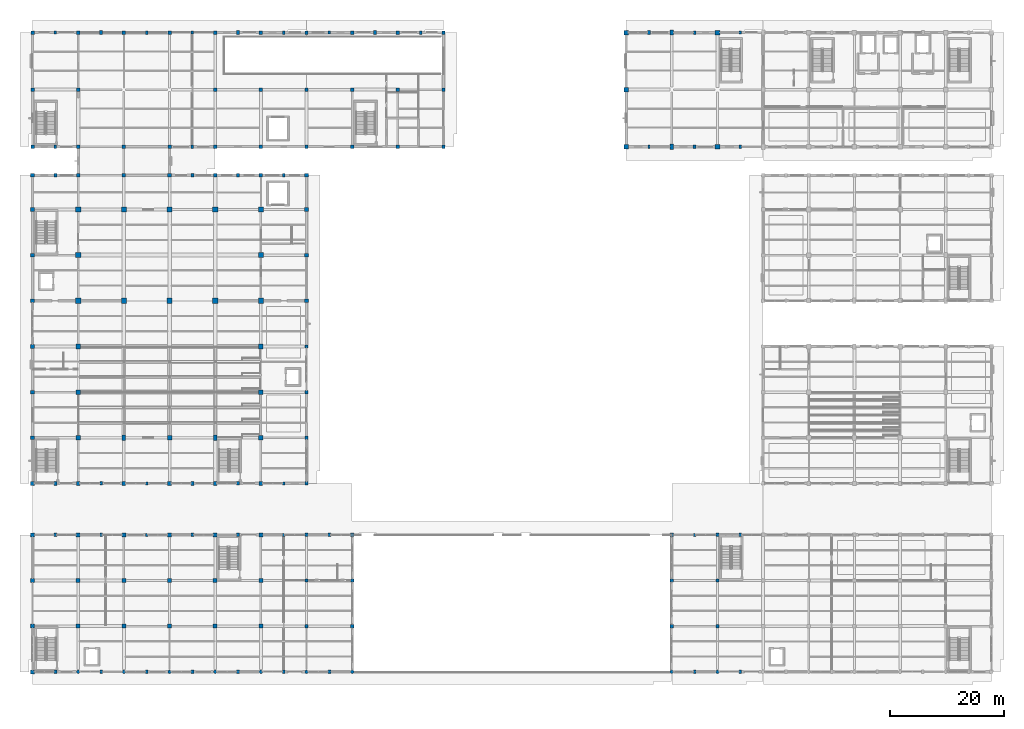
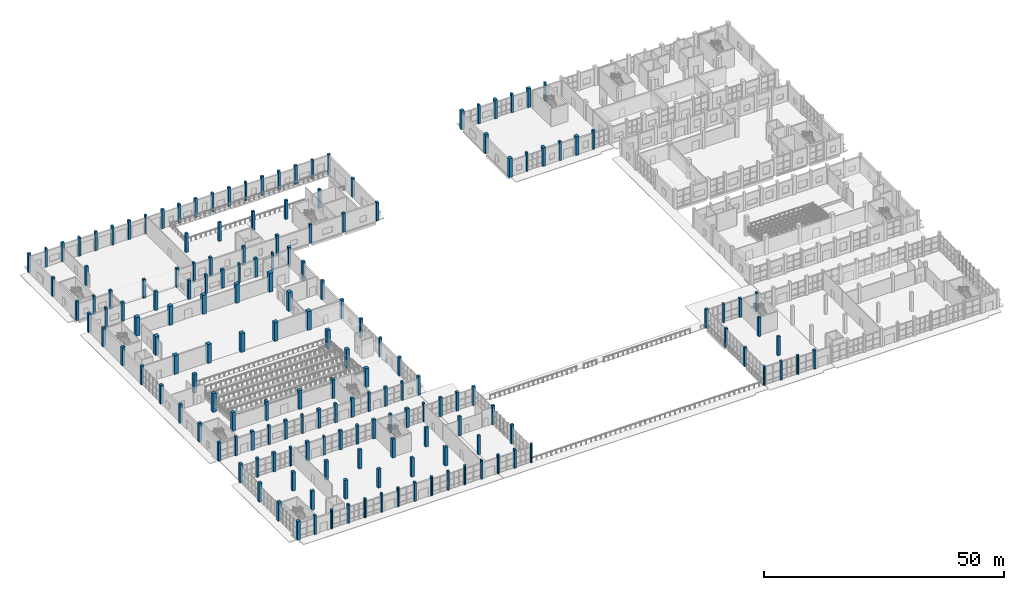
# One storey, part 1 of 156: 167 columns.
"""IFC4 building model written with IfcOpenShell, lengths in metres."""

from ifc_helpers import new_model, si_unit, direction, frame, origin, origin_2d, place, context, subcontext, project, spatial, rectangle, circle, extrude, material, material_profile, profile_set, type_object, element, save


model = new_model("IFC4")

# Units and contexts
model_context = context("Model", 3, precision=1e-05, world=origin(), true_north=direction((0.0, 1.0)))
body_context = subcontext(model_context, "Body", "Model", "MODEL_VIEW")
ifc_project = project(units=[si_unit("LENGTHUNIT", "METRE"), si_unit("AREAUNIT", "SQUARE_METRE"), si_unit("VOLUMEUNIT", "CUBIC_METRE"), si_unit("PLANEANGLEUNIT", "RADIAN"), si_unit("MASSUNIT", "GRAM", prefix="KILO")], contexts=[model_context])

# Site, building, storey
site_placement = place(None, origin())
site = spatial("IfcSite", under=ifc_project, at=site_placement, CompositionType="ELEMENT")
building_placement = place(site_placement, origin())
building = spatial("IfcBuilding", under=site, at=building_placement, Name="Luwemba Playhouse", CompositionType="ELEMENT")
storey_placement = place(building_placement, origin())
storey = spatial("IfcBuildingStorey", under=building, at=storey_placement, Name="L00", CompositionType="ELEMENT", Elevation=0.0)

# Columns
ifc_material = material(Name="Concrete C40/50", Category="concrete")
ifc_material_profile_1 = material_profile(ifc_material, rectangle(XDim=0.60009765625, YDim=0.60009765625, at=origin_2d()))
ifc_profile_set_1 = profile_set([ifc_material_profile_1], Name="Concrete C40/50")
column_type_1 = type_object("IfcColumnType", Name="COL-C04", PredefinedType="COLUMN", material=ifc_profile_set_1)
for number, where, z_axis, x_axis, name in (
    (1, (4.0, 95.0, 0.0), (0.0, 0.0, 1.0), (1.0, 0.0, 0.0), "L00 column 013"),
    (2, (4.0, 105.0, 0.0), (0.0, 0.0, 1.0), (1.0, 0.0, 0.0), "L00 column 014"),
    (3, (4.0, 115.0, 0.0), (0.0, 0.0, 1.0), (1.0, 0.0, 0.0), "L00 column 015"),
    (4, (12.0, 95.0, 0.0), (0.0, 0.0, 1.0), (1.0, 0.0, 0.0), "L00 column 034"),
    (5, (12.0, 105.0, 0.0), (0.0, 0.0, 1.0), (1.0, 0.0, 0.0), "L00 column 035"),
    (6, (12.0, 115.0, 0.0), (0.0, 0.0, 1.0), (1.0, 0.0, 0.0), "L00 column 036"),
    (7, (20.0, 95.0, 0.0), (0.0, 0.0, 1.0), (1.0, 0.0, 0.0), "L00 column 050"),
    (8, (20.0, 115.0, 0.0), (0.0, 0.0, 1.0), (1.0, 0.0, 0.0), "L00 column 052"),
    (9, (28.0, 95.0, 0.0), (0.0, 0.0, 1.0), (1.0, 0.0, 0.0), "L00 column 066"),
    (10, (28.0, 115.0, 0.0), (0.0, 0.0, 1.0), (1.0, 0.0, 0.0), "L00 column 068"),
    (11, (36.0, 95.0, 0.0), (0.0, 0.0, 1.0), (1.0, 0.0, 0.0), "L00 column 084"),
    (12, (36.0, 105.0, 0.0), (0.0, 0.0, 1.0), (1.0, 0.0, 0.0), "L00 column 085"),
    (13, (36.0, 115.0, 0.0), (0.0, 0.0, 1.0), (1.0, 0.0, 0.0), "L00 column 086"),
    (14, (44.0, 95.0, 0.0), (0.0, 0.0, 1.0), (1.0, 0.0, 0.0), "L00 column 104"),
    (15, (44.0, 105.0, 0.0), (0.0, 0.0, 1.0), (1.0, 0.0, 0.0), "L00 column 105"),
    (16, (44.0, 115.0, 0.0), (0.0, 0.0, 1.0), (1.0, 0.0, 0.0), "L00 column 106"),
    (17, (52.0, 11.0, 0.0), (0.0, 0.0, 1.0), (1.0, 0.0, 0.0), "L00 column 113"),
    (18, (52.0, 19.0, 0.0), (0.0, 0.0, 1.0), (1.0, 0.0, 0.0), "L00 column 114"),
    (19, (52.0, 27.0, 0.0), (0.0, 0.0, 1.0), (1.0, 0.0, 0.0), "L00 column 115"),
    (20, (52.0, 36.0, 0.0), (0.0, 0.0, 1.0), (1.0, 0.0, 0.0), "L00 column 116"),
    (21, (52.0, 44.0, 0.0), (0.0, 0.0, 1.0), (1.0, 0.0, 0.0), "L00 column 117"),
    (22, (52.0, 52.0, 0.0), (0.0, 0.0, 1.0), (1.0, 0.0, 0.0), "L00 column 118"),
    (23, (52.0, 60.0, 0.0), (0.0, 0.0, 1.0), (1.0, 0.0, 0.0), "L00 column 119"),
    (24, (52.0, 95.0, 0.0), (0.0, 0.0, 1.0), (1.0, 0.0, 0.0), "L00 column 124"),
    (25, (52.0, 105.0, 0.0), (0.0, 0.0, 1.0), (1.0, 0.0, 0.0), "L00 column 125"),
    (26, (52.0, 115.0, 0.0), (0.0, 0.0, 1.0), (1.0, 0.0, 0.0), "L00 column 126"),
    (27, (60.0, 11.0, 0.0), (0.0, 0.0, 1.0), (1.0, 0.0, 0.0), "L00 column 131"),
    (28, (60.0, 19.0, 0.0), (0.0, 0.0, 1.0), (1.0, 0.0, 0.0), "L00 column 132"),
    (29, (60.0, 27.0, 0.0), (0.0, 0.0, 1.0), (1.0, 0.0, 0.0), "L00 column 133"),
    (30, (60.0, 95.0, 0.0), (0.0, 0.0, 1.0), (1.0, 0.0, 0.0), "L00 column 134"),
    (31, (60.0, 105.0, 0.0), (0.0, 0.0, 1.0), (1.0, 0.0, 0.0), "L00 column 135"),
    (32, (60.0, 115.0, 0.0), (0.0, 0.0, 1.0), (1.0, 0.0, 0.0), "L00 column 136"),
    (33, (68.0, 95.0, 0.0), (0.0, 0.0, 1.0), (1.0, 0.0, 0.0), "L00 column 138"),
    (34, (68.0, 105.0, 0.0), (0.0, 0.0, 1.0), (1.0, 0.0, 0.0), "L00 column 139"),
    (35, (68.0, 115.0, 0.0), (0.0, 0.0, 1.0), (1.0, 0.0, 0.0), "L00 column 140"),
    (36, (76.0, 95.0, 0.0), (0.0, 0.0, 1.0), (1.0, 0.0, 0.0), "L00 column 142"),
    (37, (76.0, 105.0, 0.0), (0.0, 0.0, 1.0), (1.0, 0.0, 0.0), "L00 column 143"),
    (38, (76.0, 115.0, 0.0), (0.0, 0.0, 1.0), (1.0, 0.0, 0.0), "L00 column 144"),
    (39, (116.0, 11.0, 0.0), (0.0, 0.0, 1.0), (1.0, 0.0, 0.0), "L00 column 151"),
    (40, (116.0, 19.0, 0.0), (0.0, 0.0, 1.0), (1.0, 0.0, 0.0), "L00 column 152"),
    (41, (116.0, 27.0, 0.0), (0.0, 0.0, 1.0), (1.0, 0.0, 0.0), "L00 column 153"),
    (42, (124.0, 11.0, 0.0), (0.0, 0.0, 1.0), (1.0, 0.0, 0.0), "L00 column 162"),
    (43, (124.0, 19.0, 0.0), (0.0, 0.0, 1.0), (1.0, 0.0, 0.0), "L00 column 163"),
    (44, (124.0, 27.0, 0.0), (0.0, 0.0, 1.0), (1.0, 0.0, 0.0), "L00 column 164"),
):
    element("IfcColumn", number, at=place(storey_placement, frame(where, z_axis=z_axis, x_axis=x_axis)), inside=storey, type_object=column_type_1, Name=name, PredefinedType="COLUMN", context=body_context, shape_type="SweptSolid", body=[
        extrude(rectangle(XDim=0.60009765625, YDim=0.60009765625, at=origin_2d()), origin(), (0.0, 0.0, 1.0), 4.800048828125),
    ])
ifc_material_profile_2 = material_profile(ifc_material, rectangle(XDim=0.64990234375, YDim=0.64990234375, at=origin_2d()))
ifc_profile_set_2 = profile_set([ifc_material_profile_2], Name="Concrete C40/50")
column_type_2 = type_object("IfcColumnType", Name="COL-C05", PredefinedType="COLUMN", material=ifc_profile_set_2)
for number, where, z_axis, x_axis, name in (
    (45, (4.0, 36.0, 0.0), (0.0, 0.0, 1.0), (1.0, 0.0, 0.0), "L00 column 005"),
    (46, (4.0, 44.0, 0.0), (0.0, 0.0, 1.0), (1.0, 0.0, 0.0), "L00 column 006"),
    (47, (4.0, 52.0, 0.0), (0.0, 0.0, 1.0), (1.0, 0.0, 0.0), "L00 column 007"),
    (48, (4.0, 60.0, 0.0), (0.0, 0.0, 1.0), (1.0, 0.0, 0.0), "L00 column 008"),
    (49, (4.0, 68.0, 0.0), (0.0, 0.0, 1.0), (1.0, 0.0, 0.0), "L00 column 009"),
    (50, (4.0, 76.0, 0.0), (0.0, 0.0, 1.0), (1.0, 0.0, 0.0), "L00 column 010"),
    (51, (4.0, 84.0, 0.0), (0.0, 0.0, 1.0), (1.0, 0.0, 0.0), "L00 column 011"),
    (52, (4.0, 90.0, 0.0), (0.0, 0.0, 1.0), (1.0, 0.0, 0.0), "L00 column 012"),
    (53, (12.0, 36.0, 0.0), (0.0, 0.0, 1.0), (1.0, 0.0, 0.0), "L00 column 026"),
    (54, (12.0, 90.0, 0.0), (0.0, 0.0, 1.0), (1.0, 0.0, 0.0), "L00 column 033"),
    (55, (20.0, 36.0, 0.0), (0.0, 0.0, 1.0), (1.0, 0.0, 0.0), "L00 column 045"),
    (56, (20.0, 90.0, 0.0), (0.0, 0.0, 1.0), (1.0, 0.0, 0.0), "L00 column 049"),
    (57, (28.0, 36.0, 0.0), (0.0, 0.0, 1.0), (1.0, 0.0, 0.0), "L00 column 061"),
    (58, (28.0, 90.0, 0.0), (0.0, 0.0, 1.0), (1.0, 0.0, 0.0), "L00 column 065"),
    (59, (36.0, 36.0, 0.0), (0.0, 0.0, 1.0), (1.0, 0.0, 0.0), "L00 column 079"),
    (60, (36.0, 90.0, 0.0), (0.0, 0.0, 1.0), (1.0, 0.0, 0.0), "L00 column 083"),
    (61, (44.0, 36.0, 0.0), (0.0, 0.0, 1.0), (1.0, 0.0, 0.0), "L00 column 096"),
    (62, (44.0, 90.0, 0.0), (0.0, 0.0, 1.0), (1.0, 0.0, 0.0), "L00 column 103"),
    (63, (52.0, 68.0, 0.0), (0.0, 0.0, 1.0), (1.0, 0.0, 0.0), "L00 column 120"),
    (64, (52.0, 76.0, 0.0), (0.0, 0.0, 1.0), (1.0, 0.0, 0.0), "L00 column 121"),
    (65, (52.0, 84.0, 0.0), (0.0, 0.0, 1.0), (1.0, 0.0, 0.0), "L00 column 122"),
    (66, (52.0, 90.0, 0.0), (0.0, 0.0, 1.0), (1.0, 0.0, 0.0), "L00 column 123"),
):
    element("IfcColumn", number, at=place(storey_placement, frame(where, z_axis=z_axis, x_axis=x_axis)), inside=storey, type_object=column_type_2, Name=name, PredefinedType="COLUMN", context=body_context, shape_type="SweptSolid", body=[
        extrude(rectangle(XDim=0.64990234375, YDim=0.64990234375, at=origin_2d()), origin(), (0.0, 0.0, 1.0), 4.800048828125),
    ])
ifc_material_profile_3 = material_profile(ifc_material, rectangle(XDim=0.699951171875, YDim=0.699951171875, at=origin_2d()))
ifc_profile_set_3 = profile_set([ifc_material_profile_3], Name="Concrete C40/50")
column_type_3 = type_object("IfcColumnType", Name="COL-C06", PredefinedType="COLUMN", material=ifc_profile_set_3)
for number, where, z_axis, x_axis, name in (
    (67, (4.0, 3.0, 0.0), (0.0, 0.0, 1.0), (1.0, 0.0, 0.0), "L00 column 001"),
    (68, (4.0, 11.0, 0.0), (0.0, 0.0, 1.0), (1.0, 0.0, 0.0), "L00 column 002"),
    (69, (4.0, 19.0, 0.0), (0.0, 0.0, 1.0), (1.0, 0.0, 0.0), "L00 column 003"),
    (70, (4.0, 27.0, 0.0), (0.0, 0.0, 1.0), (1.0, 0.0, 0.0), "L00 column 004"),
    (71, (12.0, 11.0, 0.0), (0.0, 0.0, 1.0), (1.0, 0.0, 0.0), "L00 column 023"),
    (72, (12.0, 19.0, 0.0), (0.0, 0.0, 1.0), (1.0, 0.0, 0.0), "L00 column 024"),
    (73, (12.0, 27.0, 0.0), (0.0, 0.0, 1.0), (1.0, 0.0, 0.0), "L00 column 025"),
    (74, (20.0, 11.0, 0.0), (0.0, 0.0, 1.0), (1.0, 0.0, 0.0), "L00 column 042"),
    (75, (20.0, 19.0, 0.0), (0.0, 0.0, 1.0), (1.0, 0.0, 0.0), "L00 column 043"),
    (76, (20.0, 27.0, 0.0), (0.0, 0.0, 1.0), (1.0, 0.0, 0.0), "L00 column 044"),
    (77, (28.0, 11.0, 0.0), (0.0, 0.0, 1.0), (1.0, 0.0, 0.0), "L00 column 058"),
    (78, (28.0, 19.0, 0.0), (0.0, 0.0, 1.0), (1.0, 0.0, 0.0), "L00 column 059"),
    (79, (28.0, 27.0, 0.0), (0.0, 0.0, 1.0), (1.0, 0.0, 0.0), "L00 column 060"),
    (80, (36.0, 11.0, 0.0), (0.0, 0.0, 1.0), (1.0, 0.0, 0.0), "L00 column 076"),
    (81, (36.0, 19.0, 0.0), (0.0, 0.0, 1.0), (1.0, 0.0, 0.0), "L00 column 077"),
    (82, (36.0, 27.0, 0.0), (0.0, 0.0, 1.0), (1.0, 0.0, 0.0), "L00 column 078"),
    (83, (44.0, 11.0, 0.0), (0.0, 0.0, 1.0), (1.0, 0.0, 0.0), "L00 column 093"),
    (84, (44.0, 19.0, 0.0), (0.0, 0.0, 1.0), (1.0, 0.0, 0.0), "L00 column 094"),
    (85, (44.0, 27.0, 0.0), (0.0, 0.0, 1.0), (1.0, 0.0, 0.0), "L00 column 095"),
):
    element("IfcColumn", number, at=place(storey_placement, frame(where, z_axis=z_axis, x_axis=x_axis)), inside=storey, type_object=column_type_3, Name=name, PredefinedType="COLUMN", context=body_context, shape_type="SweptSolid", body=[
        extrude(rectangle(XDim=0.699951171875, YDim=0.699951171875, at=origin_2d()), origin(), (0.0, 0.0, 1.0), 4.800048828125),
    ])
ifc_material_profile_4 = material_profile(ifc_material, rectangle(XDim=0.800048828125, YDim=0.800048828125, at=origin_2d()))
ifc_profile_set_4 = profile_set([ifc_material_profile_4], Name="Concrete C40/50")
column_type_4 = type_object("IfcColumnType", Name="COL-C08", PredefinedType="COLUMN", material=ifc_profile_set_4)
for number, where, z_axis, x_axis, name in (
    (86, (12.0, 44.0, 0.0), (0.0, 0.0, 1.0), (1.0, 0.0, 0.0), "L00 column 027"),
    (87, (12.0, 52.0, 0.0), (0.0, 0.0, 1.0), (1.0, 0.0, 0.0), "L00 column 028"),
    (88, (12.0, 60.0, 0.0), (0.0, 0.0, 1.0), (1.0, 0.0, 0.0), "L00 column 029"),
    (89, (28.0, 44.0, 0.0), (0.0, 0.0, 1.0), (1.0, 0.0, 0.0), "L00 column 062"),
    (90, (44.0, 44.0, 0.0), (0.0, 0.0, 1.0), (1.0, 0.0, 0.0), "L00 column 097"),
    (91, (44.0, 52.0, 0.0), (0.0, 0.0, 1.0), (1.0, 0.0, 0.0), "L00 column 098"),
    (92, (44.0, 60.0, 0.0), (0.0, 0.0, 1.0), (1.0, 0.0, 0.0), "L00 column 099"),
    (93, (108.0, 95.0, 0.0), (0.0, 0.0, 1.0), (1.0, 0.0, 0.0), "L00 column 145"),
    (94, (108.0, 105.0, 0.0), (0.0, 0.0, 1.0), (1.0, 0.0, 0.0), "L00 column 146"),
    (95, (108.0, 115.0, 0.0), (0.0, 0.0, 1.0), (1.0, 0.0, 0.0), "L00 column 147"),
    (96, (124.0, 95.0, 0.0), (0.0, 0.0, 1.0), (1.0, 0.0, 0.0), "L00 column 165"),
    (97, (124.0, 115.0, 0.0), (0.0, 0.0, 1.0), (1.0, 0.0, 0.0), "L00 column 167"),
):
    element("IfcColumn", number, at=place(storey_placement, frame(where, z_axis=z_axis, x_axis=x_axis)), inside=storey, type_object=column_type_4, Name=name, PredefinedType="COLUMN", context=body_context, shape_type="SweptSolid", body=[
        extrude(rectangle(XDim=0.800048828125, YDim=0.800048828125, at=origin_2d()), origin(), (0.0, 0.0, 1.0), 4.800048828125),
    ])
ifc_material_profile_5 = material_profile(ifc_material, rectangle(XDim=0.89990234375, YDim=0.89990234375, at=origin_2d()))
ifc_profile_set_5 = profile_set([ifc_material_profile_5], Name="Concrete C40/50")
column_type_5 = type_object("IfcColumnType", Name="COL-C10", PredefinedType="COLUMN", material=ifc_profile_set_5)
for number, where, z_axis, x_axis, name in (
    (98, (12.0, 68.0, 0.0), (0.0, 0.0, 1.0), (1.0, 0.0, 0.0), "L00 column 030"),
    (99, (12.0, 76.0, 0.0), (0.0, 0.0, 1.0), (1.0, 0.0, 0.0), "L00 column 031"),
    (100, (12.0, 84.0, 0.0), (0.0, 0.0, 1.0), (1.0, 0.0, 0.0), "L00 column 032"),
    (101, (20.0, 68.0, 0.0), (0.0, 0.0, 1.0), (1.0, 0.0, 0.0), "L00 column 047"),
    (102, (20.0, 84.0, 0.0), (0.0, 0.0, 1.0), (1.0, 0.0, 0.0), "L00 column 048"),
    (103, (28.0, 68.0, 0.0), (0.0, 0.0, 1.0), (1.0, 0.0, 0.0), "L00 column 063"),
    (104, (28.0, 84.0, 0.0), (0.0, 0.0, 1.0), (1.0, 0.0, 0.0), "L00 column 064"),
    (105, (36.0, 68.0, 0.0), (0.0, 0.0, 1.0), (1.0, 0.0, 0.0), "L00 column 081"),
    (106, (36.0, 84.0, 0.0), (0.0, 0.0, 1.0), (1.0, 0.0, 0.0), "L00 column 082"),
    (107, (44.0, 68.0, 0.0), (0.0, 0.0, 1.0), (1.0, 0.0, 0.0), "L00 column 100"),
    (108, (44.0, 76.0, 0.0), (0.0, 0.0, 1.0), (1.0, 0.0, 0.0), "L00 column 101"),
    (109, (44.0, 84.0, 0.0), (0.0, 0.0, 1.0), (1.0, 0.0, 0.0), "L00 column 102"),
):
    element("IfcColumn", number, at=place(storey_placement, frame(where, z_axis=z_axis, x_axis=x_axis)), inside=storey, type_object=column_type_5, Name=name, PredefinedType="COLUMN", context=body_context, shape_type="SweptSolid", body=[
        extrude(rectangle(XDim=0.89990234375, YDim=0.89990234375, at=origin_2d()), origin(), (0.0, 0.0, 1.0), 4.800048828125),
    ])
ifc_material_profile_6 = material_profile(ifc_material, rectangle(XDim=0.60009765625, YDim=0.89990234375, at=origin_2d()))
ifc_profile_set_6 = profile_set([ifc_material_profile_6], Name="Concrete C40/50")
column_type_6 = type_object("IfcColumnType", Name="COL-C13", PredefinedType="COLUMN", material=ifc_profile_set_6)
for number, where, z_axis, x_axis, name in (
    (110, (20.0, 44.0, 0.0), (0.0, 0.0, 1.0), (1.0, 0.0, 0.0), "L00 column 046"),
    (111, (36.0, 44.0, 0.0), (0.0, 0.0, 1.0), (1.0, 0.0, 0.0), "L00 column 080"),
    (112, (116.0, 95.0, 0.0), (0.0, 0.0, 1.0), (1.0, 0.0, 0.0), "L00 column 154"),
    (113, (116.0, 115.0, 0.0), (0.0, 0.0, 1.0), (1.0, 0.0, 0.0), "L00 column 156"),
):
    element("IfcColumn", number, at=place(storey_placement, frame(where, z_axis=z_axis, x_axis=x_axis)), inside=storey, type_object=column_type_6, Name=name, PredefinedType="COLUMN", context=body_context, shape_type="SweptSolid", body=[
        extrude(rectangle(XDim=0.60009765625, YDim=0.89990234375, at=origin_2d()), origin(), (0.0, 0.0, 1.0), 4.800048828125),
    ])
ifc_material_profile_7 = material_profile(ifc_material, circle(Radius=0.300048828125, at=origin_2d()))
ifc_profile_set_7 = profile_set([ifc_material_profile_7], Name="Concrete C40/50")
column_type_7 = type_object("IfcColumnType", Name="COL-C14", PredefinedType="COLUMN", material=ifc_profile_set_7)
for number, where, z_axis, x_axis, name in (
    (114, (12.0, 3.0, 0.0), (0.0, 0.0, 1.0), (1.0, 0.0, 0.0), "L00 column 022"),
    (115, (20.0, 3.0, 0.0), (0.0, 0.0, 1.0), (1.0, 0.0, 0.0), "L00 column 041"),
    (116, (28.0, 3.0, 0.0), (0.0, 0.0, 1.0), (1.0, 0.0, 0.0), "L00 column 057"),
    (117, (36.0, 3.0, 0.0), (0.0, 0.0, 1.0), (1.0, 0.0, 0.0), "L00 column 075"),
    (118, (44.0, 3.0, 0.0), (0.0, 0.0, 1.0), (1.0, 0.0, 0.0), "L00 column 092"),
    (119, (52.0, 3.0, 0.0), (0.0, 0.0, 1.0), (1.0, 0.0, 0.0), "L00 column 112"),
    (120, (60.0, 3.0, 0.0), (0.0, 0.0, 1.0), (1.0, 0.0, 0.0), "L00 column 130"),
    (121, (116.0, 3.0, 0.0), (0.0, 0.0, 1.0), (1.0, 0.0, 0.0), "L00 column 150"),
    (122, (124.0, 3.0, 0.0), (0.0, 0.0, 1.0), (1.0, 0.0, 0.0), "L00 column 161"),
):
    element("IfcColumn", number, at=place(storey_placement, frame(where, z_axis=z_axis, x_axis=x_axis)), inside=storey, type_object=column_type_7, Name=name, PredefinedType="COLUMN", context=body_context, shape_type="SweptSolid", body=[
        extrude(circle(Radius=0.300048828125, at=origin_2d()), origin(), (0.0, 0.0, 1.0), 4.800048828125),
    ])
ifc_material_profile_8 = material_profile(ifc_material, rectangle(XDim=0.39990234375, YDim=0.550048828125, at=origin_2d()))
ifc_profile_set_8 = profile_set([ifc_material_profile_8], Name="Concrete C40/50")
column_type_8 = type_object("IfcColumnType", Name="COL-PIL1", PredefinedType="PILASTER", material=ifc_profile_set_8)
for number, where, z_axis, x_axis, name in (
    (123, (8.0, 115.0, 0.0), (0.0, 0.0, 1.0), (1.0, 0.0, 0.0), "L00 column 021"),
    (124, (24.0, 3.0, 0.0), (0.0, 0.0, 1.0), (1.0, 0.0, 0.0), "L00 column 053"),
    (125, (24.0, 27.0, 0.0), (0.0, 0.0, 1.0), (1.0, 0.0, 0.0), "L00 column 054"),
    (126, (24.0, 36.0, 0.0), (0.0, 0.0, 1.0), (1.0, 0.0, 0.0), "L00 column 055"),
    (127, (32.0, 115.0, 0.0), (0.0, 0.0, 1.0), (1.0, 0.0, 0.0), "L00 column 074"),
    (128, (48.0, 3.0, 0.0), (0.0, 0.0, 1.0), (1.0, 0.0, 0.0), "L00 column 107"),
    (129, (48.0, 27.0, 0.0), (0.0, 0.0, 1.0), (1.0, 0.0, 0.0), "L00 column 108"),
    (130, (48.0, 36.0, 0.0), (0.0, 0.0, 1.0), (1.0, 0.0, 0.0), "L00 column 109"),
    (131, (48.0, 90.0, 0.0), (0.0, 0.0, 1.0), (1.0, 0.0, 0.0), "L00 column 110"),
    (132, (56.0, 115.0, 0.0), (0.0, 0.0, 1.0), (1.0, 0.0, 0.0), "L00 column 129"),
    (133, (112.0, 95.0, 0.0), (0.0, 0.0, 1.0), (1.0, 0.0, 0.0), "L00 column 148"),
    (134, (120.0, 3.0, 0.0), (0.0, 0.0, 1.0), (1.0, 0.0, 0.0), "L00 column 157"),
    (135, (120.0, 27.0, 0.0), (0.0, 0.0, 1.0), (1.0, 0.0, 0.0), "L00 column 158"),
    (136, (128.0, 115.0, 0.0), (0.0, 0.0, 1.0), (1.0, 0.0, 0.0), "L00 column 171"),
):
    element("IfcColumn", number, at=place(storey_placement, frame(where, z_axis=z_axis, x_axis=x_axis)), inside=storey, type_object=column_type_8, Name=name, PredefinedType="PILASTER", context=body_context, shape_type="SweptSolid", body=[
        extrude(rectangle(XDim=0.39990234375, YDim=0.550048828125, at=origin_2d()), origin(), (0.0, 0.0, 1.0), 4.800048828125),
    ])
ifc_material_profile_9 = material_profile(ifc_material, rectangle(XDim=0.449951171875, YDim=0.60009765625, at=origin_2d()))
ifc_profile_set_9 = profile_set([ifc_material_profile_9], Name="Concrete C40/50")
column_type_9 = type_object("IfcColumnType", Name="COL-PIL2", PredefinedType="PILASTER", material=ifc_profile_set_9)
for number, where, z_axis, x_axis, name in (
    (137, (8.0, 95.0, 0.0), (0.0, 0.0, 1.0), (1.0, 0.0, 0.0), "L00 column 020"),
    (138, (16.0, 3.0, 0.0), (0.0, 0.0, 1.0), (1.0, 0.0, 0.0), "L00 column 037"),
    (139, (16.0, 27.0, 0.0), (0.0, 0.0, 1.0), (1.0, 0.0, 0.0), "L00 column 038"),
    (140, (16.0, 36.0, 0.0), (0.0, 0.0, 1.0), (1.0, 0.0, 0.0), "L00 column 039"),
    (141, (24.0, 115.0, 0.0), (0.0, 0.0, 1.0), (1.0, 0.0, 0.0), "L00 column 056"),
    (142, (32.0, 95.0, 0.0), (0.0, 0.0, 1.0), (1.0, 0.0, 0.0), "L00 column 073"),
    (143, (40.0, 3.0, 0.0), (0.0, 0.0, 1.0), (1.0, 0.0, 0.0), "L00 column 087"),
    (144, (40.0, 27.0, 0.0), (0.0, 0.0, 1.0), (1.0, 0.0, 0.0), "L00 column 088"),
    (145, (40.0, 36.0, 0.0), (0.0, 0.0, 1.0), (1.0, 0.0, 0.0), "L00 column 089"),
    (146, (40.0, 90.0, 0.0), (0.0, 0.0, 1.0), (1.0, 0.0, 0.0), "L00 column 090"),
    (147, (48.0, 115.0, 0.0), (0.0, 0.0, 1.0), (1.0, 0.0, 0.0), "L00 column 111"),
    (148, (72.0, 115.0, 0.0), (0.0, 0.0, 1.0), (1.0, 0.0, 0.0), "L00 column 141"),
    (149, (120.0, 115.0, 0.0), (0.0, 0.0, 1.0), (1.0, 0.0, 0.0), "L00 column 160"),
    (150, (128.0, 95.0, 0.0), (0.0, 0.0, 1.0), (1.0, 0.0, 0.0), "L00 column 170"),
):
    element("IfcColumn", number, at=place(storey_placement, frame(where, z_axis=z_axis, x_axis=x_axis)), inside=storey, type_object=column_type_9, Name=name, PredefinedType="PILASTER", context=body_context, shape_type="SweptSolid", body=[
        extrude(rectangle(XDim=0.449951171875, YDim=0.60009765625, at=origin_2d()), origin(), (0.0, 0.0, 1.0), 4.800048828125),
    ])
ifc_material_profile_10 = material_profile(ifc_material, rectangle(XDim=0.5, YDim=0.64990234375, at=origin_2d()))
ifc_profile_set_10 = profile_set([ifc_material_profile_10], Name="Concrete C40/50")
column_type_10 = type_object("IfcColumnType", Name="COL-PIL3", PredefinedType="PILASTER", material=ifc_profile_set_10)
for number, where, z_axis, x_axis, name in (
    (151, (8.0, 3.0, 0.0), (0.0, 0.0, 1.0), (1.0, 0.0, 0.0), "L00 column 016"),
    (152, (8.0, 27.0, 0.0), (0.0, 0.0, 1.0), (1.0, 0.0, 0.0), "L00 column 017"),
    (153, (8.0, 36.0, 0.0), (0.0, 0.0, 1.0), (1.0, 0.0, 0.0), "L00 column 018"),
    (154, (8.0, 90.0, 0.0), (0.0, 0.0, 1.0), (1.0, 0.0, 0.0), "L00 column 019"),
    (155, (16.0, 115.0, 0.0), (0.0, 0.0, 1.0), (1.0, 0.0, 0.0), "L00 column 040"),
    (156, (32.0, 3.0, 0.0), (0.0, 0.0, 1.0), (1.0, 0.0, 0.0), "L00 column 069"),
    (157, (32.0, 27.0, 0.0), (0.0, 0.0, 1.0), (1.0, 0.0, 0.0), "L00 column 070"),
    (158, (32.0, 36.0, 0.0), (0.0, 0.0, 1.0), (1.0, 0.0, 0.0), "L00 column 071"),
    (159, (32.0, 90.0, 0.0), (0.0, 0.0, 1.0), (1.0, 0.0, 0.0), "L00 column 072"),
    (160, (40.0, 115.0, 0.0), (0.0, 0.0, 1.0), (1.0, 0.0, 0.0), "L00 column 091"),
    (161, (56.0, 3.0, 0.0), (0.0, 0.0, 1.0), (1.0, 0.0, 0.0), "L00 column 127"),
    (162, (56.0, 27.0, 0.0), (0.0, 0.0, 1.0), (1.0, 0.0, 0.0), "L00 column 128"),
    (163, (64.0, 115.0, 0.0), (0.0, 0.0, 1.0), (1.0, 0.0, 0.0), "L00 column 137"),
    (164, (112.0, 115.0, 0.0), (0.0, 0.0, 1.0), (1.0, 0.0, 0.0), "L00 column 149"),
    (165, (120.0, 95.0, 0.0), (0.0, 0.0, 1.0), (1.0, 0.0, 0.0), "L00 column 159"),
    (166, (128.0, 3.0, 0.0), (0.0, 0.0, 1.0), (1.0, 0.0, 0.0), "L00 column 168"),
    (167, (128.0, 27.0, 0.0), (0.0, 0.0, 1.0), (1.0, 0.0, 0.0), "L00 column 169"),
):
    element("IfcColumn", number, at=place(storey_placement, frame(where, z_axis=z_axis, x_axis=x_axis)), inside=storey, type_object=column_type_10, Name=name, PredefinedType="PILASTER", context=body_context, shape_type="SweptSolid", body=[
        extrude(rectangle(XDim=0.5, YDim=0.64990234375, at=origin_2d()), origin(), (0.0, 0.0, 1.0), 4.800048828125),
    ])

save(model, "model.ifc")
